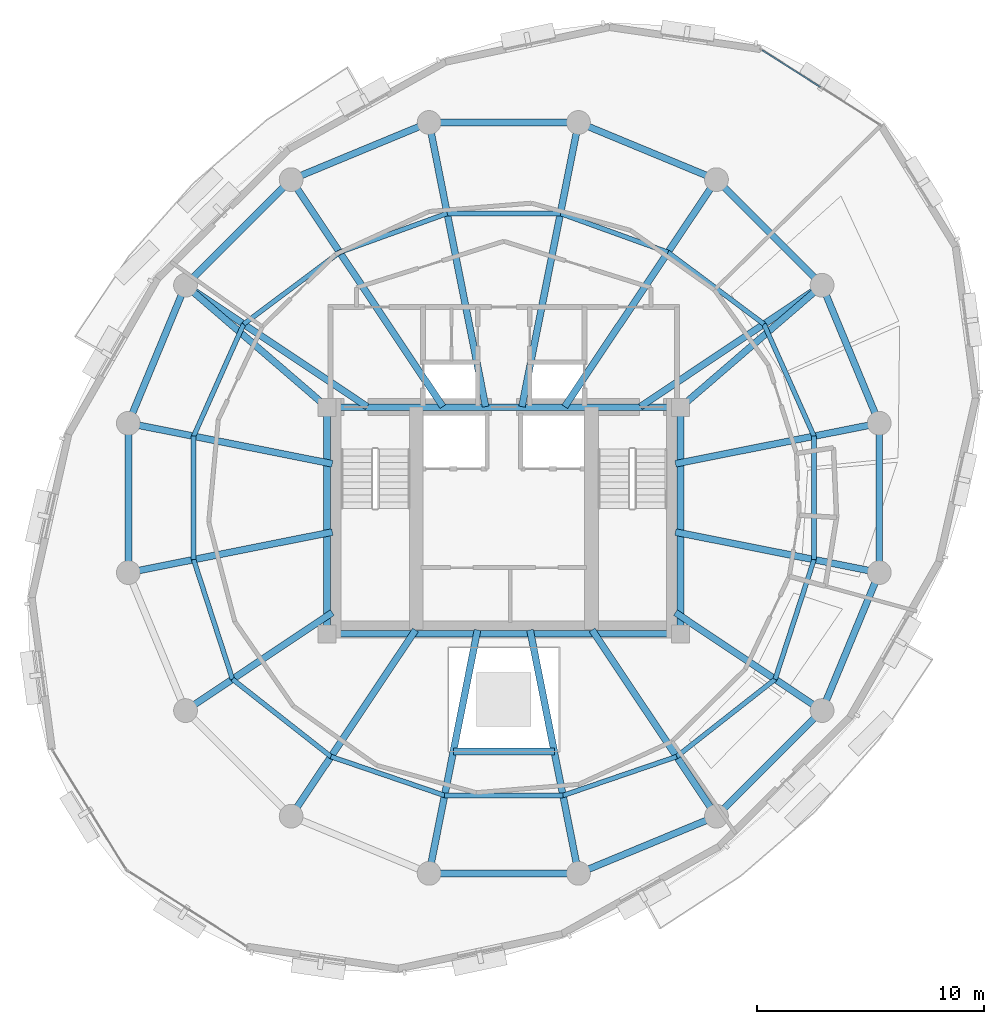
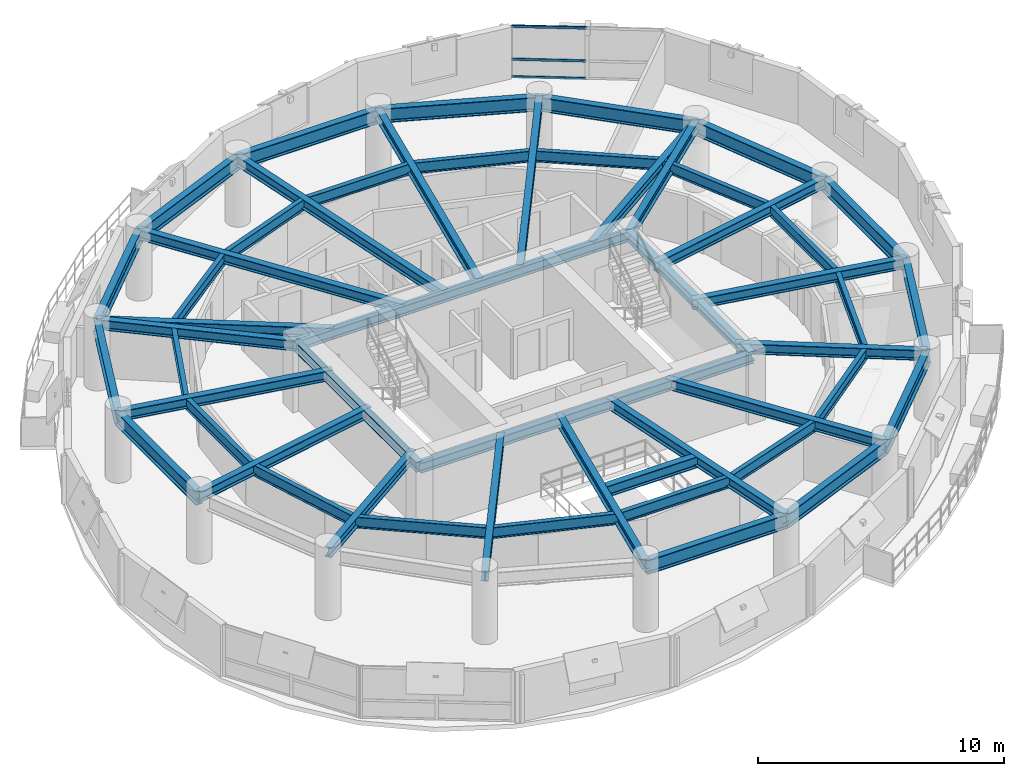
# One storey, part 5 of 12: 52 beams, 3 members, 1 element without a shape of its own.
"""IFC4 building model written with IfcOpenShell, lengths in metres."""

from ifc_helpers import new_model, si_unit, direction, frame, origin, origin_2d, place, context, subcontext, project, spatial, hollow_rectangle, i_section, extrude, material, layer, layer_set, material_profile, profile_set, type_object, element, aggregate, save


model = new_model("IFC4")

# Units and contexts
model_context = context("Model", 3, precision=1e-05, world=origin(), true_north=direction((0.0, 1.0)))
body_context = subcontext(model_context, "Body", "Model", "MODEL_VIEW")
ifc_project = project(units=[si_unit("LENGTHUNIT", "METRE"), si_unit("AREAUNIT", "SQUARE_METRE"), si_unit("VOLUMEUNIT", "CUBIC_METRE"), si_unit("PLANEANGLEUNIT", "RADIAN"), si_unit("MASSUNIT", "GRAM", prefix="KILO"), si_unit("THERMODYNAMICTEMPERATUREUNIT", "KELVIN"), si_unit("POWERUNIT", "WATT")], contexts=[model_context])

# Site, building, storey
site_placement = place(None, origin())
site = spatial("IfcSite", under=ifc_project, at=site_placement, CompositionType="ELEMENT")
building_placement = place(site_placement, origin())
building = spatial("IfcBuilding", under=site, at=building_placement, Name="Ocrelia Relay Tower", CompositionType="ELEMENT")
storey_placement = place(building_placement, frame((0.0, 0.0, 216.800048828125)))
storey = spatial("IfcBuildingStorey", under=building, at=storey_placement, Name="L53", CompositionType="ELEMENT", Elevation=216.800048828125)

# Beams
ifc_material_1 = material(Name="Steel S355", Category="steel")
ifc_material_profile_1 = material_profile(ifc_material_1, i_section(OverallWidth=0.300048828125, OverallDepth=0.5, WebThickness=0.014404296875, FlangeThickness=0.028076171875, FilletRadius=0.027099609375, at=origin_2d()), Name="HEB 500")
ifc_profile_set_1 = profile_set([ifc_material_profile_1], Name="Steel S355")
beam_type_1 = type_object("IfcBeamType", Name="BM-HEB500", PredefinedType="BEAM", material=ifc_profile_set_1)
for number, where, z_axis, x_axis, name in (
    (1, (26.199951171875, 20.0, 3.030029296875), (1.0, 0.0, 0.0), (0.0, 1.0, 0.0), "L53 Core Pilaster Tie Beam S"),
    (2, (26.199951171875, 30.0, 3.030029296875), (1.0, 0.0, 0.0), (0.0, 1.0, 0.0), "L53 Core Pilaster Tie Beam N"),
):
    element("IfcBeam", number, at=place(storey_placement, frame(where, z_axis=z_axis, x_axis=x_axis)), inside=storey, type_object=beam_type_1, Name=name, PredefinedType="BEAM", context=body_context, shape_type="SweptSolid", body=[
        extrude(i_section(OverallWidth=0.300048828125, OverallDepth=0.5, WebThickness=0.014404296875, FlangeThickness=0.028076171875, FilletRadius=0.027099609375, at=origin_2d()), origin(), (0.0, 0.0, 1.0), 15.60009765625),
    ])
for number, where, z_axis, x_axis, name in (
    (3, (26.199951171875, 20.0, 3.030029296875), (0.0, 1.0, 0.0), (-1.0, 0.0, 0.0), "L53 Core Pilaster Tie Beam W"),
    (4, (41.800048828125, 20.0, 3.030029296875), (0.0, 1.0, 0.0), (-1.0, 0.0, 0.0), "L53 Core Pilaster Tie Beam E"),
):
    element("IfcBeam", number, at=place(storey_placement, frame(where, z_axis=z_axis, x_axis=x_axis)), inside=storey, type_object=beam_type_1, Name=name, PredefinedType="BEAM", context=body_context, shape_type="SweptSolid", body=[
        extrude(i_section(OverallWidth=0.300048828125, OverallDepth=0.5, WebThickness=0.014404296875, FlangeThickness=0.028076171875, FilletRadius=0.027099609375, at=origin_2d()), origin(), (0.0, 0.0, 1.0), 10.0),
    ])
beam_1_placement = place(storey_placement, frame((50.5751953125, 29.297119140625, 3.030029296875), z_axis=(-0.980783891197, -0.1950973059, 0.0), x_axis=(0.1950973059, -0.980783891197, 0.0)))
element("IfcBeam", 5, at=beam_1_placement, inside=storey, type_object=beam_type_1, Name="L53 Radial Floor Girder R01", PredefinedType="BEAM", context=body_context, shape_type="SweptSolid", body=[
    extrude(i_section(OverallWidth=0.300048828125, OverallDepth=0.5, WebThickness=0.014404296875, FlangeThickness=0.028076171875, FilletRadius=0.027099609375, at=origin_2d()), origin(), (0.0, 0.0, 1.0), 9.17138671875),
])
beam_2_placement = place(storey_placement, frame((48.0517578125, 35.38916015625, 3.030029296875), z_axis=(-0.831469666235, -0.555570152305, 0.0), x_axis=(0.555570152305, -0.831469666235, 0.0)))
element("IfcBeam", 6, at=beam_2_placement, inside=storey, type_object=beam_type_1, Name="L53 Radial Floor Girder R02", PredefinedType="BEAM", context=body_context, shape_type="SweptSolid", body=[
    extrude(i_section(OverallWidth=0.300048828125, OverallDepth=0.5, WebThickness=0.014404296875, FlangeThickness=0.028076171875, FilletRadius=0.027099609375, at=origin_2d()), origin(), (0.0, 0.0, 1.0), 9.646240234375),
])
beam_3_placement = place(storey_placement, frame((48.0517578125, 35.38916015625, 3.030029296875), z_axis=(-0.757424589403, -0.652922653434, 0.0), x_axis=(0.652922653434, -0.757424589403, 0.0)))
element("IfcBeam", 7, at=beam_3_placement, inside=storey, type_object=beam_type_1, Name="L53 Core Pilaster Frame Tie Beam PT02", PredefinedType="BEAM", context=body_context, shape_type="SweptSolid", body=[
    extrude(i_section(OverallWidth=0.300048828125, OverallDepth=0.5, WebThickness=0.014404296875, FlangeThickness=0.028076171875, FilletRadius=0.027099609375, at=origin_2d()), origin(), (0.0, 0.0, 1.0), 8.25390625),
])
beam_4_placement = place(storey_placement, frame((43.38916015625, 40.0517578125, 3.030029296875), z_axis=(-0.55556932408, -0.831470219636, 0.0), x_axis=(0.831470219636, -0.55556932408, 0.0)))
element("IfcBeam", 8, at=beam_4_placement, inside=storey, type_object=beam_type_1, Name="L53 Radial Floor Girder R03", PredefinedType="BEAM", context=body_context, shape_type="SweptSolid", body=[
    extrude(i_section(OverallWidth=0.300048828125, OverallDepth=0.5, WebThickness=0.014404296875, FlangeThickness=0.028076171875, FilletRadius=0.027099609375, at=origin_2d()), origin(), (0.0, 0.0, 1.0), 12.052978515625),
])
for number, where, z_axis, x_axis, name in (
    (9, (37.297119140625, 42.5751953125, 3.030029296875), (-0.195106626135, -0.980782037171, 0.0), (0.980782037171, -0.195106626135, 0.0), "L53 Radial Floor Girder R04"),
    (10, (30.702880859375, 42.5751953125, 3.030029296875), (0.195106626135, -0.980782037171, 0.0), (0.980782037171, 0.195106626135, 0.0), "L53 Radial Floor Girder R05"),
):
    element("IfcBeam", number, at=place(storey_placement, frame(where, z_axis=z_axis, x_axis=x_axis)), inside=storey, type_object=beam_type_1, Name=name, PredefinedType="BEAM", context=body_context, shape_type="SweptSolid", body=[
        extrude(i_section(OverallWidth=0.300048828125, OverallDepth=0.5, WebThickness=0.014404296875, FlangeThickness=0.028076171875, FilletRadius=0.027099609375, at=origin_2d()), origin(), (0.0, 0.0, 1.0), 12.791015625),
    ])
beam_5_placement = place(storey_placement, frame((24.61083984375, 40.0517578125, 3.030029296875), z_axis=(0.55556932408, -0.831470219636, 0.0), x_axis=(0.831470219636, 0.55556932408, 0.0)))
element("IfcBeam", 11, at=beam_5_placement, inside=storey, type_object=beam_type_1, Name="L53 Radial Floor Girder R06", PredefinedType="BEAM", context=body_context, shape_type="SweptSolid", body=[
    extrude(i_section(OverallWidth=0.300048828125, OverallDepth=0.5, WebThickness=0.014404296875, FlangeThickness=0.028076171875, FilletRadius=0.027099609375, at=origin_2d()), origin(), (0.0, 0.0, 1.0), 12.052978515625),
])
beam_6_placement = place(storey_placement, frame((19.9482421875, 35.38916015625, 3.030029296875), z_axis=(0.831469666235, -0.555570152305, 0.0), x_axis=(0.555570152305, 0.831469666235, 0.0)))
element("IfcBeam", 12, at=beam_6_placement, inside=storey, type_object=beam_type_1, Name="L53 Radial Floor Girder R07", PredefinedType="BEAM", context=body_context, shape_type="SweptSolid", body=[
    extrude(i_section(OverallWidth=0.300048828125, OverallDepth=0.5, WebThickness=0.014404296875, FlangeThickness=0.028076171875, FilletRadius=0.027099609375, at=origin_2d()), origin(), (0.0, 0.0, 1.0), 9.646240234375),
])
beam_7_placement = place(storey_placement, frame((19.9482421875, 35.38916015625, 3.030029296875), z_axis=(0.757424589403, -0.652922653434, 0.0), x_axis=(0.652922653434, 0.757424589403, 0.0)))
element("IfcBeam", 13, at=beam_7_placement, inside=storey, type_object=beam_type_1, Name="L53 Core Pilaster Frame Tie Beam PT07", PredefinedType="BEAM", context=body_context, shape_type="SweptSolid", body=[
    extrude(i_section(OverallWidth=0.300048828125, OverallDepth=0.5, WebThickness=0.014404296875, FlangeThickness=0.028076171875, FilletRadius=0.027099609375, at=origin_2d()), origin(), (0.0, 0.0, 1.0), 8.25390625),
])
for number, where, z_axis, x_axis, name in (
    (14, (17.4248046875, 29.297119140625, 3.030029296875), (0.980784683446, -0.195093323097, 0.0), (0.195093323097, 0.980784683446, 0.0), "L53 Radial Floor Girder R08"),
    (15, (17.4248046875, 22.702880859375, 3.030029296875), (0.980784683446, 0.195093323097, 0.0), (-0.195093323097, 0.980784683446, 0.0), "L53 Radial Floor Girder R09"),
):
    element("IfcBeam", number, at=place(storey_placement, frame(where, z_axis=z_axis, x_axis=x_axis)), inside=storey, type_object=beam_type_1, Name=name, PredefinedType="BEAM", context=body_context, shape_type="SweptSolid", body=[
        extrude(i_section(OverallWidth=0.300048828125, OverallDepth=0.5, WebThickness=0.014404296875, FlangeThickness=0.028076171875, FilletRadius=0.027099609375, at=origin_2d()), origin(), (0.0, 0.0, 1.0), 9.181640625),
    ])
beam_8_placement = place(storey_placement, frame((19.9482421875, 16.61083984375, 3.030029296875), z_axis=(0.831462012084, 0.555581607382, 0.0), x_axis=(-0.555581607382, 0.831462012084, 0.0)))
element("IfcBeam", 16, at=beam_8_placement, inside=storey, type_object=beam_type_1, Name="L53 Radial Floor Girder R10", PredefinedType="BEAM", context=body_context, shape_type="SweptSolid", body=[
    extrude(i_section(OverallWidth=0.300048828125, OverallDepth=0.5, WebThickness=0.014404296875, FlangeThickness=0.028076171875, FilletRadius=0.027099609375, at=origin_2d()), origin(), (0.0, 0.0, 1.0), 7.795654296875),
])
beam_9_placement = place(storey_placement, frame((24.61083984375, 11.9482421875, 3.030029296875), z_axis=(0.555577337069, 0.831464865485, 0.0), x_axis=(-0.831464865485, 0.555577337069, 0.0)))
element("IfcBeam", 17, at=beam_9_placement, inside=storey, type_object=beam_type_1, Name="L53 Radial Floor Girder R11", PredefinedType="BEAM", context=body_context, shape_type="SweptSolid", body=[
    extrude(i_section(OverallWidth=0.300048828125, OverallDepth=0.5, WebThickness=0.014404296875, FlangeThickness=0.028076171875, FilletRadius=0.027099609375, at=origin_2d()), origin(), (0.0, 0.0, 1.0), 9.88818359375),
])
for number, where, z_axis, x_axis, name in (
    (18, (30.702880859375, 9.4248046875, 3.030029296875), (0.195100373206, 0.980783281044, 0.0), (-0.980783281044, 0.195100373206, 0.0), "L53 Radial Floor Girder R12"),
    (19, (37.297119140625, 9.4248046875, 3.030029296875), (-0.195100373206, 0.980783281044, 0.0), (-0.980783281044, -0.195100373206, 0.0), "L53 Radial Floor Girder R13"),
):
    element("IfcBeam", number, at=place(storey_placement, frame(where, z_axis=z_axis, x_axis=x_axis)), inside=storey, type_object=beam_type_1, Name=name, PredefinedType="BEAM", context=body_context, shape_type="SweptSolid", body=[
        extrude(i_section(OverallWidth=0.300048828125, OverallDepth=0.5, WebThickness=0.014404296875, FlangeThickness=0.028076171875, FilletRadius=0.027099609375, at=origin_2d()), origin(), (0.0, 0.0, 1.0), 10.95556640625),
    ])
beam_10_placement = place(storey_placement, frame((43.38916015625, 11.9482421875, 3.030029296875), z_axis=(-0.555577337069, 0.831464865485, 0.0), x_axis=(-0.831464865485, -0.555577337069, 0.0)))
element("IfcBeam", 20, at=beam_10_placement, inside=storey, type_object=beam_type_1, Name="L53 Radial Floor Girder R14", PredefinedType="BEAM", context=body_context, shape_type="SweptSolid", body=[
    extrude(i_section(OverallWidth=0.300048828125, OverallDepth=0.5, WebThickness=0.014404296875, FlangeThickness=0.028076171875, FilletRadius=0.027099609375, at=origin_2d()), origin(), (0.0, 0.0, 1.0), 9.88818359375),
])
beam_11_placement = place(storey_placement, frame((48.0517578125, 16.61083984375, 3.030029296875), z_axis=(-0.831456272244, 0.555590197309, 0.0), x_axis=(-0.555590197309, -0.831456272244, 0.0)))
element("IfcBeam", 21, at=beam_11_placement, inside=storey, type_object=beam_type_1, Name="L53 Radial Floor Girder R15", PredefinedType="BEAM", context=body_context, shape_type="SweptSolid", body=[
    extrude(i_section(OverallWidth=0.300048828125, OverallDepth=0.5, WebThickness=0.014404296875, FlangeThickness=0.028076171875, FilletRadius=0.027099609375, at=origin_2d()), origin(), (0.0, 0.0, 1.0), 7.783447265625),
])
beam_12_placement = place(storey_placement, frame((50.5751953125, 22.702880859375, 3.030029296875), z_axis=(-0.980783891197, 0.1950973059, 0.0), x_axis=(-0.1950973059, -0.980783891197, 0.0)))
element("IfcBeam", 22, at=beam_12_placement, inside=storey, type_object=beam_type_1, Name="L53 Radial Floor Girder R16", PredefinedType="BEAM", context=body_context, shape_type="SweptSolid", body=[
    extrude(i_section(OverallWidth=0.300048828125, OverallDepth=0.5, WebThickness=0.014404296875, FlangeThickness=0.028076171875, FilletRadius=0.027099609375, at=origin_2d()), origin(), (0.0, 0.0, 1.0), 9.17138671875),
])
ifc_material_profile_2 = material_profile(ifc_material_1, i_section(OverallWidth=0.300048828125, OverallDepth=0.550048828125, WebThickness=0.014892578125, FlangeThickness=0.029052734375, FilletRadius=0.027099609375, at=origin_2d()), Name="HEB 550")
ifc_profile_set_2 = profile_set([ifc_material_profile_2], Name="Steel S355")
beam_type_2 = type_object("IfcBeamType", Name="BM-HEB550", PredefinedType="BEAM", material=ifc_profile_set_2)
beam_13_placement = place(storey_placement, frame((31.772216796875, 14.800048828125, 3.0048828125), z_axis=(1.0, 0.0, 0.0), x_axis=(0.0, 1.0, 0.0)))
element("IfcBeam", 23, at=beam_13_placement, inside=storey, type_object=beam_type_2, Name="L53 Atrium South Trimmer Beam", PredefinedType="BEAM", context=body_context, shape_type="SweptSolid", body=[
    extrude(i_section(OverallWidth=0.300048828125, OverallDepth=0.550048828125, WebThickness=0.014892578125, FlangeThickness=0.029052734375, FilletRadius=0.027099609375, at=origin_2d()), origin(), (0.0, 0.0, 1.0), 4.45556640625),
])
ifc_material_profile_3 = material_profile(ifc_material_1, i_section(OverallWidth=0.300048828125, OverallDepth=0.699951171875, WebThickness=0.01708984375, FlangeThickness=0.031982421875, FilletRadius=0.027099609375, at=origin_2d()), Name="HEB 700")
ifc_profile_set_3 = profile_set([ifc_material_profile_3], Name="Steel S355")
beam_type_3 = type_object("IfcBeamType", Name="BM-HEB700", PredefinedType="BEAM", material=ifc_profile_set_3)
for number, where, z_axis, x_axis, name in (
    (24, (50.5751953125, 29.297119140625, 2.929931640625), (-0.382687508402, 0.923877844151, 0.0), (-0.923877844151, -0.382687508402, 0.0), "L53 Perimeter Spandrel Beam S01"),
    (25, (48.0517578125, 35.38916015625, 2.929931640625), (-0.707106781187, 0.707106781187, 0.0), (-0.707106781187, -0.707106781187, 0.0), "L53 Perimeter Spandrel Beam S02"),
    (26, (43.38916015625, 40.0517578125, 2.929931640625), (-0.923877844151, 0.382687508402, 0.0), (-0.382687508402, -0.923877844151, 0.0), "L53 Perimeter Spandrel Beam S03"),
):
    element("IfcBeam", number, at=place(storey_placement, frame(where, z_axis=z_axis, x_axis=x_axis)), inside=storey, type_object=beam_type_3, Name=name, PredefinedType="BEAM", context=body_context, shape_type="SweptSolid", body=[
        extrude(i_section(OverallWidth=0.300048828125, OverallDepth=0.699951171875, WebThickness=0.01708984375, FlangeThickness=0.031982421875, FilletRadius=0.027099609375, at=origin_2d()), origin(), (0.0, 0.0, 1.0), 6.593994140625),
    ])
beam_14_placement = place(storey_placement, frame((37.297119140625, 42.5751953125, 2.929931640625), z_axis=(-1.0, 0.0, 0.0), x_axis=(0.0, -1.0, 0.0)))
element("IfcBeam", 27, at=beam_14_placement, inside=storey, type_object=beam_type_3, Name="L53 Perimeter Spandrel Beam S04", PredefinedType="BEAM", context=body_context, shape_type="SweptSolid", body=[
    extrude(i_section(OverallWidth=0.300048828125, OverallDepth=0.699951171875, WebThickness=0.01708984375, FlangeThickness=0.031982421875, FilletRadius=0.027099609375, at=origin_2d()), origin(), (0.0, 0.0, 1.0), 6.59423828125),
])
for number, where, z_axis, x_axis, name in (
    (28, (30.702880859375, 42.5751953125, 2.929931640625), (-0.923877844151, -0.382687508402, 0.0), (0.382687508402, -0.923877844151, 0.0), "L53 Perimeter Spandrel Beam S05"),
    (29, (24.61083984375, 40.0517578125, 2.929931640625), (-0.707106781187, -0.707106781187, 0.0), (0.707106781187, -0.707106781187, 0.0), "L53 Perimeter Spandrel Beam S06"),
    (30, (19.9482421875, 35.38916015625, 2.929931640625), (-0.382687508402, -0.923877844151, 0.0), (0.923877844151, -0.382687508402, 0.0), "L53 Perimeter Spandrel Beam S07"),
):
    element("IfcBeam", number, at=place(storey_placement, frame(where, z_axis=z_axis, x_axis=x_axis)), inside=storey, type_object=beam_type_3, Name=name, PredefinedType="BEAM", context=body_context, shape_type="SweptSolid", body=[
        extrude(i_section(OverallWidth=0.300048828125, OverallDepth=0.699951171875, WebThickness=0.01708984375, FlangeThickness=0.031982421875, FilletRadius=0.027099609375, at=origin_2d()), origin(), (0.0, 0.0, 1.0), 6.593994140625),
    ])
for number, where, z_axis, x_axis, name in (
    (31, (17.4248046875, 29.297119140625, 2.929931640625), (0.0, -1.0, 0.0), (1.0, 0.0, 0.0), "L53 Perimeter Spandrel Beam S08"),
    (32, (30.702880859375, 9.4248046875, 2.929931640625), (1.0, 0.0, 0.0), (0.0, 1.0, 0.0), "L53 Perimeter Spandrel Beam S12"),
):
    element("IfcBeam", number, at=place(storey_placement, frame(where, z_axis=z_axis, x_axis=x_axis)), inside=storey, type_object=beam_type_3, Name=name, PredefinedType="BEAM", context=body_context, shape_type="SweptSolid", body=[
        extrude(i_section(OverallWidth=0.300048828125, OverallDepth=0.699951171875, WebThickness=0.01708984375, FlangeThickness=0.031982421875, FilletRadius=0.027099609375, at=origin_2d()), origin(), (0.0, 0.0, 1.0), 6.59423828125),
    ])
for number, where, z_axis, x_axis, name in (
    (33, (37.297119140625, 9.4248046875, 2.929931640625), (0.923877844151, 0.382687508402, 0.0), (-0.382687508402, 0.923877844151, 0.0), "L53 Perimeter Spandrel Beam S13"),
    (34, (43.38916015625, 11.9482421875, 2.929931640625), (0.707106781187, 0.707106781187, 0.0), (-0.707106781187, 0.707106781187, 0.0), "L53 Perimeter Spandrel Beam S14"),
    (35, (48.0517578125, 16.61083984375, 2.929931640625), (0.382687508402, 0.923877844151, 0.0), (-0.923877844151, 0.382687508402, 0.0), "L53 Perimeter Spandrel Beam S15"),
):
    element("IfcBeam", number, at=place(storey_placement, frame(where, z_axis=z_axis, x_axis=x_axis)), inside=storey, type_object=beam_type_3, Name=name, PredefinedType="BEAM", context=body_context, shape_type="SweptSolid", body=[
        extrude(i_section(OverallWidth=0.300048828125, OverallDepth=0.699951171875, WebThickness=0.01708984375, FlangeThickness=0.031982421875, FilletRadius=0.027099609375, at=origin_2d()), origin(), (0.0, 0.0, 1.0), 6.593994140625),
    ])
beam_15_placement = place(storey_placement, frame((50.5751953125, 22.702880859375, 2.929931640625), z_axis=(0.0, 1.0, 0.0), x_axis=(-1.0, 0.0, 0.0)))
element("IfcBeam", 36, at=beam_15_placement, inside=storey, type_object=beam_type_3, Name="L53 Perimeter Spandrel Beam S16", PredefinedType="BEAM", context=body_context, shape_type="SweptSolid", body=[
    extrude(i_section(OverallWidth=0.300048828125, OverallDepth=0.699951171875, WebThickness=0.01708984375, FlangeThickness=0.031982421875, FilletRadius=0.027099609375, at=origin_2d()), origin(), (0.0, 0.0, 1.0), 6.59423828125),
])
ifc_material_profile_4 = material_profile(ifc_material_1, i_section(OverallWidth=0.2099609375, OverallDepth=0.550048828125, WebThickness=0.010986328125, FlangeThickness=0.01708984375, FilletRadius=0.02392578125, at=origin_2d()), Name="IPE 550")
ifc_profile_set_4 = profile_set([ifc_material_profile_4], Name="Steel S355")
beam_type_4 = type_object("IfcBeamType", Name="BM-IPE550", PredefinedType="JOIST", material=ifc_profile_set_4)
beam_16_placement = place(storey_placement, frame((47.69677734375, 28.724365234375, 3.0048828125), z_axis=(-0.407938464853, 0.913009424318, 0.0), x_axis=(-0.913009424318, -0.407938464853, 0.0)))
element("IfcBeam", 37, at=beam_16_placement, inside=storey, type_object=beam_type_4, Name="L53 Secondary Floor Joist J01", PredefinedType="JOIST", context=body_context, shape_type="SweptSolid", body=[
    extrude(i_section(OverallWidth=0.2099609375, OverallDepth=0.550048828125, WebThickness=0.010986328125, FlangeThickness=0.01708984375, FilletRadius=0.02392578125, at=origin_2d()), origin(), (0.0, 0.0, 1.0), 5.421630859375),
])
beam_17_placement = place(storey_placement, frame((45.485107421875, 33.67431640625, 3.0048828125), z_axis=(-0.800785247359, 0.598951573678, 0.0), x_axis=(-0.598951573678, -0.800785247359, 0.0)))
element("IfcBeam", 38, at=beam_17_placement, inside=storey, type_object=beam_type_4, Name="L53 Secondary Floor Joist J02", PredefinedType="JOIST", context=body_context, shape_type="SweptSolid", body=[
    extrude(i_section(OverallWidth=0.2099609375, OverallDepth=0.550048828125, WebThickness=0.010986328125, FlangeThickness=0.01708984375, FilletRadius=0.02392578125, at=origin_2d()), origin(), (0.0, 0.0, 1.0), 5.293212890625),
])
beam_18_placement = place(storey_placement, frame((41.246337890625, 36.8447265625, 3.0048828125), z_axis=(-0.940453871246, 0.339921338046, 0.0), x_axis=(-0.339921338046, -0.940453871246, 0.0)))
element("IfcBeam", 39, at=beam_18_placement, inside=storey, type_object=beam_type_4, Name="L53 Secondary Floor Joist J03", PredefinedType="JOIST", context=body_context, shape_type="SweptSolid", body=[
    extrude(i_section(OverallWidth=0.2099609375, OverallDepth=0.550048828125, WebThickness=0.010986328125, FlangeThickness=0.01708984375, FilletRadius=0.02392578125, at=origin_2d()), origin(), (0.0, 0.0, 1.0), 5.04833984375),
])
beam_19_placement = place(storey_placement, frame((36.49853515625, 38.560791015625, 3.0048828125), z_axis=(-1.0, 0.0, 0.0), x_axis=(0.0, -1.0, 0.0)))
element("IfcBeam", 40, at=beam_19_placement, inside=storey, type_object=beam_type_4, Name="L53 Secondary Floor Joist J04", PredefinedType="JOIST", context=body_context, shape_type="SweptSolid", body=[
    extrude(i_section(OverallWidth=0.2099609375, OverallDepth=0.550048828125, WebThickness=0.010986328125, FlangeThickness=0.01708984375, FilletRadius=0.02392578125, at=origin_2d()), origin(), (0.0, 0.0, 1.0), 4.9970703125),
])
beam_20_placement = place(storey_placement, frame((31.50146484375, 38.560791015625, 3.0048828125), z_axis=(-0.940453871246, -0.339921338046, 0.0), x_axis=(0.339921338046, -0.940453871246, 0.0)))
element("IfcBeam", 41, at=beam_20_placement, inside=storey, type_object=beam_type_4, Name="L53 Secondary Floor Joist J05", PredefinedType="JOIST", context=body_context, shape_type="SweptSolid", body=[
    extrude(i_section(OverallWidth=0.2099609375, OverallDepth=0.550048828125, WebThickness=0.010986328125, FlangeThickness=0.01708984375, FilletRadius=0.02392578125, at=origin_2d()), origin(), (0.0, 0.0, 1.0), 5.04833984375),
])
beam_21_placement = place(storey_placement, frame((26.753662109375, 36.8447265625, 3.0048828125), z_axis=(-0.800785247359, -0.598951573678, 0.0), x_axis=(0.598951573678, -0.800785247359, 0.0)))
element("IfcBeam", 42, at=beam_21_placement, inside=storey, type_object=beam_type_4, Name="L53 Secondary Floor Joist J06", PredefinedType="JOIST", context=body_context, shape_type="SweptSolid", body=[
    extrude(i_section(OverallWidth=0.2099609375, OverallDepth=0.550048828125, WebThickness=0.010986328125, FlangeThickness=0.01708984375, FilletRadius=0.02392578125, at=origin_2d()), origin(), (0.0, 0.0, 1.0), 5.293212890625),
])
beam_22_placement = place(storey_placement, frame((22.514892578125, 33.67431640625, 3.0048828125), z_axis=(-0.407416785709, -0.913242335157, 0.0), x_axis=(0.913242335157, -0.407416785709, 0.0)))
element("IfcBeam", 43, at=beam_22_placement, inside=storey, type_object=beam_type_4, Name="L53 Secondary Floor Joist J07", PredefinedType="JOIST", context=body_context, shape_type="SweptSolid", body=[
    extrude(i_section(OverallWidth=0.2099609375, OverallDepth=0.550048828125, WebThickness=0.010986328125, FlangeThickness=0.01708984375, FilletRadius=0.02392578125, at=origin_2d()), origin(), (0.0, 0.0, 1.0), 5.420654296875),
])
beam_23_placement = place(storey_placement, frame((20.306396484375, 28.723876953125, 3.0048828125), z_axis=(0.0, -1.0, 0.0), x_axis=(1.0, 0.0, 0.0)))
element("IfcBeam", 44, at=beam_23_placement, inside=storey, type_object=beam_type_4, Name="L53 Secondary Floor Joist J08", PredefinedType="JOIST", context=body_context, shape_type="SweptSolid", body=[
    extrude(i_section(OverallWidth=0.2099609375, OverallDepth=0.550048828125, WebThickness=0.010986328125, FlangeThickness=0.01708984375, FilletRadius=0.02392578125, at=origin_2d()), origin(), (0.0, 0.0, 1.0), 5.44775390625),
])
beam_24_placement = place(storey_placement, frame((20.306396484375, 23.276123046875, 3.0048828125), z_axis=(0.309133805786, -0.951018554036, 0.0), x_axis=(0.951018554036, 0.309133805786, 0.0)))
element("IfcBeam", 45, at=beam_24_placement, inside=storey, type_object=beam_type_4, Name="L53 Secondary Floor Joist J09", PredefinedType="JOIST", context=body_context, shape_type="SweptSolid", body=[
    extrude(i_section(OverallWidth=0.2099609375, OverallDepth=0.550048828125, WebThickness=0.010986328125, FlangeThickness=0.01708984375, FilletRadius=0.02392578125, at=origin_2d()), origin(), (0.0, 0.0, 1.0), 5.55126953125),
])
beam_25_placement = place(storey_placement, frame((22.0224609375, 17.996826171875, 3.0048828125), z_axis=(0.786083859045, -0.618119864224, 0.0), x_axis=(0.618119864224, 0.786083859045, 0.0)))
element("IfcBeam", 46, at=beam_25_placement, inside=storey, type_object=beam_type_4, Name="L53 Secondary Floor Joist J10", PredefinedType="JOIST", context=body_context, shape_type="SweptSolid", body=[
    extrude(i_section(OverallWidth=0.2099609375, OverallDepth=0.550048828125, WebThickness=0.010986328125, FlangeThickness=0.01708984375, FilletRadius=0.02392578125, at=origin_2d()), origin(), (0.0, 0.0, 1.0), 5.529296875),
])
beam_26_placement = place(storey_placement, frame((26.368896484375, 14.5791015625, 3.0048828125), z_axis=(0.946215174492, -0.323538009454, 0.0), x_axis=(0.323538009454, 0.946215174492, 0.0)))
element("IfcBeam", 47, at=beam_26_placement, inside=storey, type_object=beam_type_4, Name="L53 Secondary Floor Joist J11", PredefinedType="JOIST", context=body_context, shape_type="SweptSolid", body=[
    extrude(i_section(OverallWidth=0.2099609375, OverallDepth=0.550048828125, WebThickness=0.010986328125, FlangeThickness=0.01708984375, FilletRadius=0.02392578125, at=origin_2d()), origin(), (0.0, 0.0, 1.0), 5.30322265625),
])
beam_27_placement = place(storey_placement, frame((31.386962890625, 12.86328125, 3.0048828125), z_axis=(1.0, 0.0, 0.0), x_axis=(0.0, 1.0, 0.0)))
element("IfcBeam", 48, at=beam_27_placement, inside=storey, type_object=beam_type_4, Name="L53 Secondary Floor Joist J12", PredefinedType="JOIST", context=body_context, shape_type="SweptSolid", body=[
    extrude(i_section(OverallWidth=0.2099609375, OverallDepth=0.550048828125, WebThickness=0.010986328125, FlangeThickness=0.01708984375, FilletRadius=0.02392578125, at=origin_2d()), origin(), (0.0, 0.0, 1.0), 5.22607421875),
])
beam_28_placement = place(storey_placement, frame((36.613037109375, 12.86328125, 3.0048828125), z_axis=(0.946215174492, 0.323538009454, 0.0), x_axis=(-0.323538009454, 0.946215174492, 0.0)))
element("IfcBeam", 49, at=beam_28_placement, inside=storey, type_object=beam_type_4, Name="L53 Secondary Floor Joist J13", PredefinedType="JOIST", context=body_context, shape_type="SweptSolid", body=[
    extrude(i_section(OverallWidth=0.2099609375, OverallDepth=0.550048828125, WebThickness=0.010986328125, FlangeThickness=0.01708984375, FilletRadius=0.02392578125, at=origin_2d()), origin(), (0.0, 0.0, 1.0), 5.30322265625),
])
beam_29_placement = place(storey_placement, frame((41.631103515625, 14.5791015625, 3.0048828125), z_axis=(0.78649600233, 0.617595367793, 0.0), x_axis=(-0.617595367793, 0.78649600233, 0.0)))
element("IfcBeam", 50, at=beam_29_placement, inside=storey, type_object=beam_type_4, Name="L53 Secondary Floor Joist J14", PredefinedType="JOIST", context=body_context, shape_type="SweptSolid", body=[
    extrude(i_section(OverallWidth=0.2099609375, OverallDepth=0.550048828125, WebThickness=0.010986328125, FlangeThickness=0.01708984375, FilletRadius=0.02392578125, at=origin_2d()), origin(), (0.0, 0.0, 1.0), 5.5302734375),
])
beam_30_placement = place(storey_placement, frame((45.980712890625, 17.99462890625, 3.0048828125), z_axis=(0.309043322978, 0.95104796121, 0.0), x_axis=(-0.95104796121, 0.309043322978, 0.0)))
element("IfcBeam", 51, at=beam_30_placement, inside=storey, type_object=beam_type_4, Name="L53 Secondary Floor Joist J15", PredefinedType="JOIST", context=body_context, shape_type="SweptSolid", body=[
    extrude(i_section(OverallWidth=0.2099609375, OverallDepth=0.550048828125, WebThickness=0.010986328125, FlangeThickness=0.01708984375, FilletRadius=0.02392578125, at=origin_2d()), origin(), (0.0, 0.0, 1.0), 5.552734375),
])
beam_31_placement = place(storey_placement, frame((47.69677734375, 23.275634765625, 3.0048828125), z_axis=(0.0, 1.0, 0.0), x_axis=(-1.0, 0.0, 0.0)))
element("IfcBeam", 52, at=beam_31_placement, inside=storey, type_object=beam_type_4, Name="L53 Secondary Floor Joist J16", PredefinedType="JOIST", context=body_context, shape_type="SweptSolid", body=[
    extrude(i_section(OverallWidth=0.2099609375, OverallDepth=0.550048828125, WebThickness=0.010986328125, FlangeThickness=0.01708984375, FilletRadius=0.02392578125, at=origin_2d()), origin(), (0.0, 0.0, 1.0), 5.44873046875),
])

# Curtain wall, members
ifc_material_2 = material(Name="Aluminium and solar-control low-E glass", Category="aluminium")
ifc_layer = layer(ifc_material_2, 0.179931640625, Name="Aluminium and solar-control low-E glass")
ifc_layer_set = layer_set([ifc_layer], Name="Aluminium and solar-control low-E glass")
curtain_wall_type = type_object("IfcCurtainWallType", Name="CW-SYS-Z3-CLOU", PredefinedType="NOTDEFINED", material=ifc_layer_set)
curtain_wall_placement = place(storey_placement, origin())
curtain_wall = element("IfcCurtainWall", 53, at=curtain_wall_placement, inside=storey, type_object=curtain_wall_type, Name="L53 Elliptical Tower Curtain Wall Bay 01", PredefinedType="NOTDEFINED")
ifc_material_3 = material(Name="Anodised bronze aluminium", Category="aluminium")
ifc_material_profile_5 = material_profile(ifc_material_3, hollow_rectangle(XDim=0.06005859375, YDim=0.1201171875, WallThickness=0.0048828125, at=origin_2d()), Name="CW-TRN-120x60")
ifc_profile_set_5 = profile_set([ifc_material_profile_5], Name="Anodised bronze aluminium")
member_type = type_object("IfcMemberType", Name="CW-SYS-Z3-CLOU-TRN", PredefinedType="USERDEFINED", material=ifc_profile_set_5)
member_1_placement = place(storey_placement, frame((47.96630859375, 44.14404296875, 0.030029296875), z_axis=(-0.844601468055, 0.5353955175, 0.0), x_axis=(-0.5353955175, -0.844601468055, 0.0)))
member_1 = element("IfcMember", 54, at=member_1_placement, type_object=member_type, Name="CW-Z3 transom 2.1", ObjectType="TRANSOM", PredefinedType="USERDEFINED", context=body_context, shape_type="SweptSolid", body=[
    extrude(hollow_rectangle(XDim=0.06005859375, YDim=0.1201171875, WallThickness=0.0048828125, at=origin_2d()), origin(), (0.0, 0.0, 1.0), 3.043701171875),
])
member_2_placement = place(storey_placement, frame((47.96630859375, 44.14404296875, 0.89990234375), z_axis=(-0.844601468055, 0.5353955175, 0.0), x_axis=(-0.5353955175, -0.844601468055, 0.0)))
member_2 = element("IfcMember", 55, at=member_2_placement, type_object=member_type, Name="CW-Z3 transom 2.2", ObjectType="TRANSOM", PredefinedType="USERDEFINED", context=body_context, shape_type="SweptSolid", body=[
    extrude(hollow_rectangle(XDim=0.06005859375, YDim=0.1201171875, WallThickness=0.0048828125, at=origin_2d()), origin(), (0.0, 0.0, 1.0), 3.043701171875),
])
member_3_placement = place(storey_placement, frame((47.96630859375, 44.14404296875, 2.530029296875), z_axis=(-0.844601468055, 0.5353955175, 0.0), x_axis=(-0.5353955175, -0.844601468055, 0.0)))
member_3 = element("IfcMember", 56, at=member_3_placement, type_object=member_type, Name="CW-Z3 transom 2.3", ObjectType="TRANSOM", PredefinedType="USERDEFINED", context=body_context, shape_type="SweptSolid", body=[
    extrude(hollow_rectangle(XDim=0.06005859375, YDim=0.1201171875, WallThickness=0.0048828125, at=origin_2d()), origin(), (0.0, 0.0, 1.0), 3.043701171875),
])
aggregate(curtain_wall, [member_1, member_2, member_3])

save(model, "model.ifc")
